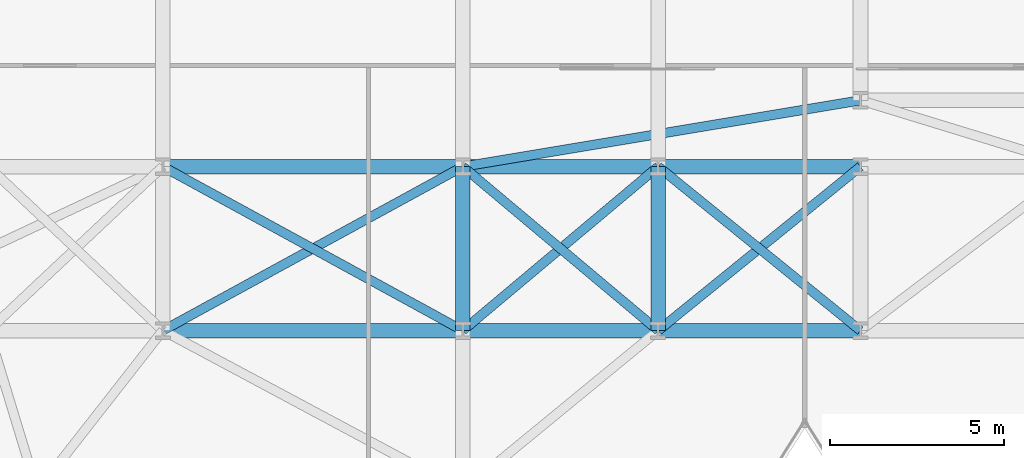
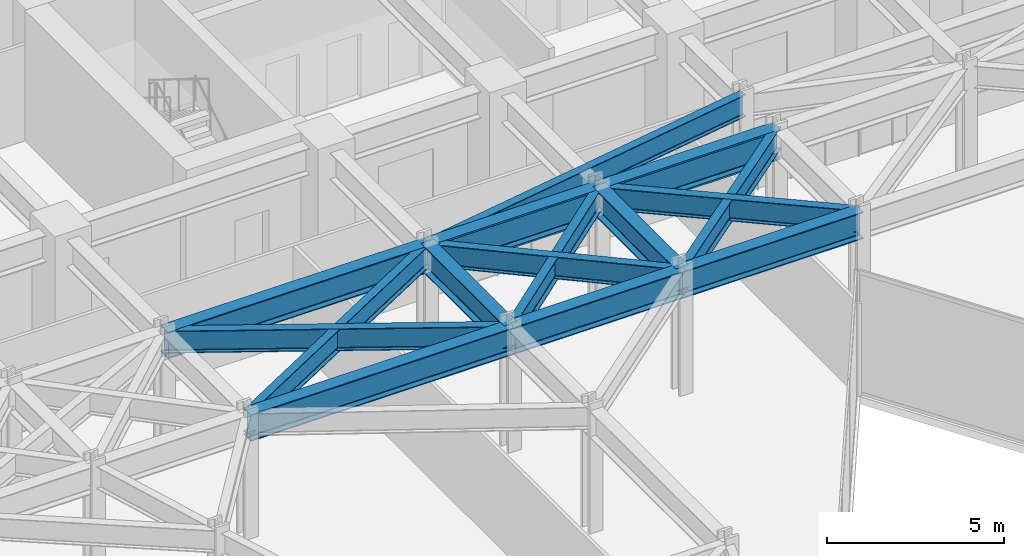
# One storey, part 11 of 28: 14 beams.
"""IFC4 building model written with IfcOpenShell, lengths in metres."""

from ifc_helpers import new_model, si_unit, direction, frame, origin, origin_2d, place, context, subcontext, project, spatial, i_section, extrude, material, material_profile, profile_set, type_object, element, save


model = new_model("IFC4")

# Units and contexts
model_context = context("Model", 3, precision=1e-05, world=origin(), true_north=direction((0.0, 1.0)))
body_context = subcontext(model_context, "Body", "Model", "MODEL_VIEW")
ifc_project = project(units=[si_unit("LENGTHUNIT", "METRE"), si_unit("AREAUNIT", "SQUARE_METRE"), si_unit("VOLUMEUNIT", "CUBIC_METRE"), si_unit("PLANEANGLEUNIT", "RADIAN"), si_unit("MASSUNIT", "GRAM", prefix="KILO")], contexts=[model_context])

# Site, building, storey
site_placement = place(None, origin())
site = spatial("IfcSite", under=ifc_project, at=site_placement, CompositionType="ELEMENT")
building_placement = place(site_placement, origin())
building = spatial("IfcBuilding", under=site, at=building_placement, Name="Kravanh Interchange Tower", CompositionType="ELEMENT")
storey_placement = place(building_placement, frame((0.0, 0.0, 91.5)))
storey = spatial("IfcBuildingStorey", under=building, at=storey_placement, Name="L21", CompositionType="ELEMENT", Elevation=91.5)

# Beams
ifc_material_1 = material(Name="Structural Steel S355", Category="steel")
ifc_material_profile_1 = material_profile(ifc_material_1, i_section(OverallWidth=0.41796875, OverallDepth=0.927001953125, WebThickness=0.019287109375, FlangeThickness=0.031982421875, FilletRadius=0.028076171875, at=origin_2d()), Name="W36X231")
ifc_profile_set_1 = profile_set([ifc_material_profile_1], Name="Structural Steel S355")
beam_type_1 = type_object("IfcBeamType", Name="Floor Beam W36X231 Structural Steel S355", PredefinedType="BEAM", material=ifc_profile_set_1)
beam_1_placement = place(storey_placement, frame((18.60009765625, 26.800048828125, 3.78662109375), z_axis=(1.0, 0.0, 0.0), x_axis=(0.0, 1.0, 0.0)))
element("IfcBeam", 1, at=beam_1_placement, inside=storey, type_object=beam_type_1, Name="L21 Primary Floor Girder 76", PredefinedType="BEAM", context=body_context, shape_type="SweptSolid", body=[
    extrude(i_section(OverallWidth=0.41796875, OverallDepth=0.927001953125, WebThickness=0.019287109375, FlangeThickness=0.031982421875, FilletRadius=0.028076171875, at=origin_2d()), origin(), (0.0, 0.0, 1.0), 8.599853515625),
])
beam_2_placement = place(storey_placement, frame((27.199951171875, 26.800048828125, 3.78662109375), z_axis=(0.0, 1.0, 0.0), x_axis=(-1.0, 0.0, 0.0)))
element("IfcBeam", 2, at=beam_2_placement, inside=storey, type_object=beam_type_1, Name="L21 Primary Floor Girder 78", PredefinedType="BEAM", context=body_context, shape_type="SweptSolid", body=[
    extrude(i_section(OverallWidth=0.41796875, OverallDepth=0.927001953125, WebThickness=0.019287109375, FlangeThickness=0.031982421875, FilletRadius=0.028076171875, at=origin_2d()), origin(), (0.0, 0.0, 1.0), 4.699951171875),
])
beam_3_placement = place(storey_placement, frame((27.199951171875, 26.800048828125, 3.78662109375), z_axis=(1.0, 0.0, 0.0), x_axis=(0.0, 1.0, 0.0)))
element("IfcBeam", 3, at=beam_3_placement, inside=storey, type_object=beam_type_1, Name="L21 Primary Floor Girder 79", PredefinedType="BEAM", context=body_context, shape_type="SweptSolid", body=[
    extrude(i_section(OverallWidth=0.41796875, OverallDepth=0.927001953125, WebThickness=0.019287109375, FlangeThickness=0.031982421875, FilletRadius=0.028076171875, at=origin_2d()), origin(), (0.0, 0.0, 1.0), 5.60009765625),
])
beam_4_placement = place(storey_placement, frame((32.800048828125, 26.800048828125, 3.78662109375), z_axis=(0.0, 1.0, 0.0), x_axis=(-1.0, 0.0, 0.0)))
element("IfcBeam", 4, at=beam_4_placement, inside=storey, type_object=beam_type_1, Name="L21 Primary Floor Girder 82", PredefinedType="BEAM", context=body_context, shape_type="SweptSolid", body=[
    extrude(i_section(OverallWidth=0.41796875, OverallDepth=0.927001953125, WebThickness=0.019287109375, FlangeThickness=0.031982421875, FilletRadius=0.028076171875, at=origin_2d()), origin(), (0.0, 0.0, 1.0), 4.699951171875),
])
beam_5_placement = place(storey_placement, frame((32.800048828125, 26.800048828125, 3.78662109375), z_axis=(1.0, 0.0, 0.0), x_axis=(0.0, 1.0, 0.0)))
element("IfcBeam", 5, at=beam_5_placement, inside=storey, type_object=beam_type_1, Name="L21 Primary Floor Girder 83", PredefinedType="BEAM", context=body_context, shape_type="SweptSolid", body=[
    extrude(i_section(OverallWidth=0.41796875, OverallDepth=0.927001953125, WebThickness=0.019287109375, FlangeThickness=0.031982421875, FilletRadius=0.028076171875, at=origin_2d()), origin(), (0.0, 0.0, 1.0), 5.800048828125),
])
beam_6_placement = place(storey_placement, frame((18.60009765625, 31.5, 3.78662109375), z_axis=(1.0, 0.0, 0.0), x_axis=(0.0, 1.0, 0.0)))
element("IfcBeam", 6, at=beam_6_placement, inside=storey, type_object=beam_type_1, Name="L21 Primary Floor Girder 106", PredefinedType="BEAM", context=body_context, shape_type="SweptSolid", body=[
    extrude(i_section(OverallWidth=0.41796875, OverallDepth=0.927001953125, WebThickness=0.019287109375, FlangeThickness=0.031982421875, FilletRadius=0.028076171875, at=origin_2d()), origin(), (0.0, 0.0, 1.0), 8.599853515625),
])
ifc_material_2 = material(Name="Structural Steel S355", Category="steel")
ifc_material_profile_2 = material_profile(ifc_material_2, i_section(OverallWidth=0.26708984375, OverallDepth=0.761962890625, WebThickness=0.014404296875, FlangeThickness=0.021484375, FilletRadius=0.02490234375, at=origin_2d()), Name="W30X116")
ifc_profile_set_2 = profile_set([ifc_material_profile_2], Name="Structural Steel S355")
beam_type_2 = type_object("IfcBeamType", Name="Floor Spandrel W30X116 Structural Steel S355", PredefinedType="SPANDREL", material=ifc_profile_set_2)
beam_7_placement = place(storey_placement, frame((18.60009765625, 26.800048828125, 3.868896484375), z_axis=(0.877503996342, 0.479569323877, 0.0), x_axis=(-0.479569323877, 0.877503996342, 0.0)))
element("IfcBeam", 7, at=beam_7_placement, inside=storey, type_object=beam_type_2, Name="L21 Perimeter Spandrel 77", PredefinedType="SPANDREL", context=body_context, shape_type="SweptSolid", body=[
    extrude(i_section(OverallWidth=0.26708984375, OverallDepth=0.761962890625, WebThickness=0.014404296875, FlangeThickness=0.021484375, FilletRadius=0.02490234375, at=origin_2d()), origin(), (0.0, 0.0, 1.0), 9.80029296875),
])
beam_8_placement = place(storey_placement, frame((27.199951171875, 26.800048828125, 3.868896484375), z_axis=(0.765983062929, 0.642860752657, 0.0), x_axis=(-0.642860752657, 0.765983062929, 0.0)))
element("IfcBeam", 8, at=beam_8_placement, inside=storey, type_object=beam_type_2, Name="L21 Perimeter Spandrel 80", PredefinedType="SPANDREL", context=body_context, shape_type="SweptSolid", body=[
    extrude(i_section(OverallWidth=0.26708984375, OverallDepth=0.761962890625, WebThickness=0.014404296875, FlangeThickness=0.021484375, FilletRadius=0.02490234375, at=origin_2d()), origin(), (0.0, 0.0, 1.0), 7.31103515625),
])
beam_9_placement = place(storey_placement, frame((27.199951171875, 26.800048828125, 3.868896484375), z_axis=(-0.877503996342, 0.479569323877, 0.0), x_axis=(-0.479569323877, -0.877503996342, 0.0)))
element("IfcBeam", 9, at=beam_9_placement, inside=storey, type_object=beam_type_2, Name="L21 Perimeter Spandrel 81", PredefinedType="SPANDREL", context=body_context, shape_type="SweptSolid", body=[
    extrude(i_section(OverallWidth=0.26708984375, OverallDepth=0.761962890625, WebThickness=0.014404296875, FlangeThickness=0.021484375, FilletRadius=0.02490234375, at=origin_2d()), origin(), (0.0, 0.0, 1.0), 9.80029296875),
])
beam_10_placement = place(storey_placement, frame((32.800048828125, 26.800048828125, 3.868896484375), z_axis=(-0.765983062929, 0.642860752657, 0.0), x_axis=(-0.642860752657, -0.765983062929, 0.0)))
element("IfcBeam", 10, at=beam_10_placement, inside=storey, type_object=beam_type_2, Name="L21 Perimeter Spandrel 84", PredefinedType="SPANDREL", context=body_context, shape_type="SweptSolid", body=[
    extrude(i_section(OverallWidth=0.26708984375, OverallDepth=0.761962890625, WebThickness=0.014404296875, FlangeThickness=0.021484375, FilletRadius=0.02490234375, at=origin_2d()), origin(), (0.0, 0.0, 1.0), 7.31103515625),
])
for number, where, z_axis, x_axis, name in (
    (11, (32.800048828125, 26.800048828125, 3.868896484375), (0.776938619557, 0.629576350764, 0.0), (-0.629576350764, 0.776938619557, 0.0), "L21 Perimeter Spandrel 85"),
    (12, (38.60009765625, 26.800048828125, 3.868896484375), (-0.776938619557, 0.629576350764, 0.0), (-0.629576350764, -0.776938619557, 0.0), "L21 Perimeter Spandrel 87"),
):
    element("IfcBeam", number, at=place(storey_placement, frame(where, z_axis=z_axis, x_axis=x_axis)), inside=storey, type_object=beam_type_2, Name=name, PredefinedType="SPANDREL", context=body_context, shape_type="SweptSolid", body=[
        extrude(i_section(OverallWidth=0.26708984375, OverallDepth=0.761962890625, WebThickness=0.014404296875, FlangeThickness=0.021484375, FilletRadius=0.02490234375, at=origin_2d()), origin(), (0.0, 0.0, 1.0), 7.46533203125),
    ])
beam_11_placement = place(storey_placement, frame((27.199951171875, 31.5, 3.868896484375), z_axis=(0.986395636554, 0.164388710647, 0.0), x_axis=(-0.164388710647, 0.986395636554, 0.0)))
element("IfcBeam", 13, at=beam_11_placement, inside=storey, type_object=beam_type_2, Name="L21 Perimeter Spandrel 108", PredefinedType="SPANDREL", context=body_context, shape_type="SweptSolid", body=[
    extrude(i_section(OverallWidth=0.26708984375, OverallDepth=0.761962890625, WebThickness=0.014404296875, FlangeThickness=0.021484375, FilletRadius=0.02490234375, at=origin_2d()), origin(), (0.0, 0.0, 1.0), 11.557373046875),
])
ifc_material_3 = material(Name="Structural Steel S450", Category="steel")
ifc_material_profile_3 = material_profile(ifc_material_3, i_section(OverallWidth=0.4189453125, OverallDepth=1.041015625, WebThickness=0.031005859375, FlangeThickness=0.055908203125, FilletRadius=0.030029296875, at=origin_2d()), Name="W40X397")
ifc_profile_set_3 = profile_set([ifc_material_profile_3], Name="Structural Steel S450")
beam_type_3 = type_object("IfcBeamType", Name="Transfer Girder W40X397 Structural Steel S450", PredefinedType="BEAM", material=ifc_profile_set_3)
beam_12_placement = place(storey_placement, frame((27.199951171875, 31.5, 3.7294921875), z_axis=(1.0, 0.0, 0.0), x_axis=(0.0, 1.0, 0.0)))
element("IfcBeam", 14, at=beam_12_placement, inside=storey, type_object=beam_type_3, Name="L21 STEEL TRANSFER GIRDER 1", PredefinedType="BEAM", context=body_context, shape_type="SweptSolid", body=[
    extrude(i_section(OverallWidth=0.4189453125, OverallDepth=1.041015625, WebThickness=0.031005859375, FlangeThickness=0.055908203125, FilletRadius=0.030029296875, at=origin_2d()), origin(), (0.0, 0.0, 1.0), 11.400146484375),
])

save(model, "model.ifc")
